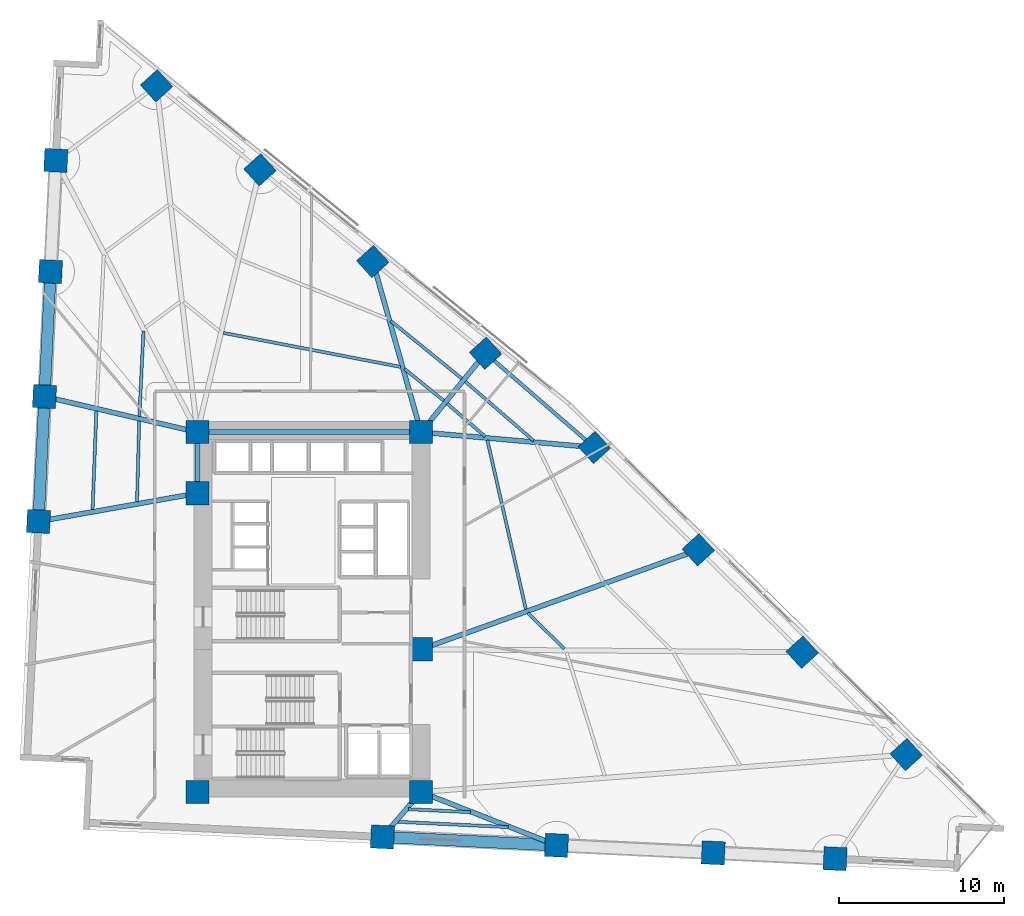
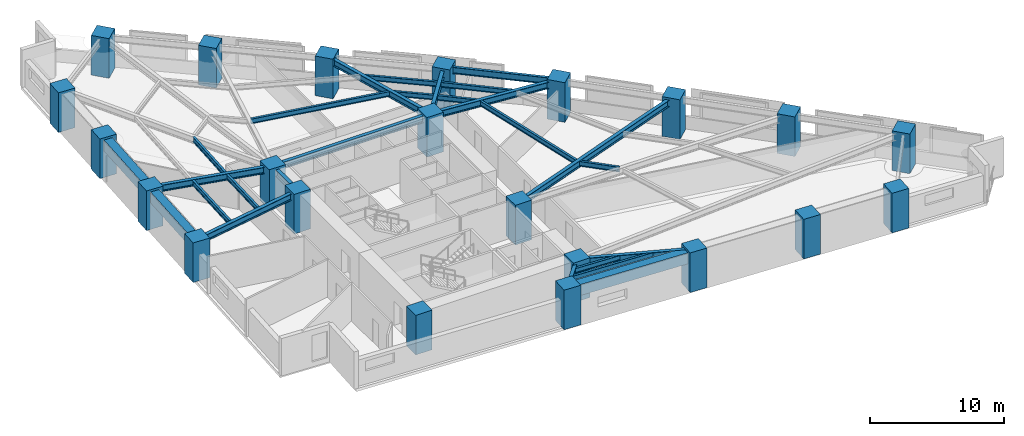
# One storey, part 1 of 17: 26 beams, 22 columns.
"""IFC4 building model written with IfcOpenShell, lengths in metres."""

import ifcopenshell
import ifcopenshell.guid

model = None  # the IFC model being written
_history = None  # IfcOwnerHistory: only IFC2X3 demands one
_inside = {}  # id of a spatial element -> (the spatial element, [elements in it])
_under = {}  # id of a project, library or spatial element -> (it, [spatial elements below it])
_declared = {}  # id of a project -> (the project, [libraries it declares])
_typed = {}  # id of a type object -> (the type object, [elements of that type])
_made_of = {}  # id of a material, layer set ... -> (it, [elements and type objects made of it])


def new_model(schema):
    """Start an empty IFC model of exactly this schema.

    Asked for "IFC4X3", IfcOpenShell would pick the latest addendum, in which some entities
    have other attributes; the version numbers below select the first issue.
    IFC2X3 requires an IfcOwnerHistory on every rooted entity: one is made here for all.
    """
    global model, _history
    if schema == "IFC4X3":
        model = ifcopenshell.file(schema_version=(4, 3, 0, 0))
    else:
        model = ifcopenshell.file(schema=schema)
    _inside.clear()
    _under.clear()
    _declared.clear()
    _typed.clear()
    _made_of.clear()
    _history = None
    if model.schema == "IFC2X3":
        org = make("IfcOrganization", Name="unknown")
        user = make(
            "IfcPersonAndOrganization",
            ThePerson=make("IfcPerson", FamilyName="unknown"),
            TheOrganization=org,
        )
        app = make(
            "IfcApplication",
            ApplicationDeveloper=org,
            Version="unknown",
            ApplicationFullName="unknown",
            ApplicationIdentifier="unknown",
        )
        _history = make(
            "IfcOwnerHistory",
            OwningUser=user,
            OwningApplication=app,
            ChangeAction="ADDED",
            CreationDate=0,
        )
    return model


def make(cls, **values):
    """One entity of the class cls with the attributes given. An attribute that is None is left unset."""
    return model.create_entity(
        cls, **{name: value for name, value in values.items() if value is not None}
    )


def rooted(cls, **values):
    """An entity with a GlobalId (a new one), such as an element, a storey or a relation."""
    return make(cls, GlobalId=ifcopenshell.guid.new(), OwnerHistory=_history, **values)


def si_unit(unit_type, name, prefix=None):
    """IfcSIUnit, for example si_unit("LENGTHUNIT", "METRE", prefix="MILLI")."""
    return make("IfcSIUnit", UnitType=unit_type, Prefix=prefix, Name=name)


def assignment(units):
    """IfcUnitAssignment: the units of a project."""
    return None if units is None else make("IfcUnitAssignment", Units=units)


def point(xyz):
    """IfcCartesianPoint."""
    return None if xyz is None else make("IfcCartesianPoint", Coordinates=xyz)


def direction(xyz):
    """IfcDirection."""
    return None if xyz is None else make("IfcDirection", DirectionRatios=xyz)


def frame(location, z_axis=None, x_axis=None):
    """IfcAxis2Placement3D, a coordinate frame: its origin and axes. An axis left out is left unset."""
    return make(
        "IfcAxis2Placement3D",
        Location=point(location),
        Axis=direction(z_axis),
        RefDirection=direction(x_axis),
    )


def frame_2d(location, x_axis=None):
    """IfcAxis2Placement2D, a coordinate frame in the plane: its origin and x axis."""
    return make(
        "IfcAxis2Placement2D", Location=point(location), RefDirection=direction(x_axis)
    )


def origin():
    """The frame at (0, 0, 0) with its axes left unset."""
    return frame((0.0, 0.0, 0.0))


def origin_2d():
    """The frame at (0, 0) in the plane with its x axis left unset."""
    return frame_2d((0.0, 0.0))


def place(relative_to, where):
    """IfcLocalPlacement: puts the frame where relative to a parent placement (None: the world)."""
    return make(
        "IfcLocalPlacement", PlacementRelTo=relative_to, RelativePlacement=where
    )


def context(
    kind, dimensions, precision=None, world=None, true_north=None, identifier=None
):
    """IfcGeometricRepresentationContext, for example the 3D "Model" context."""
    return make(
        "IfcGeometricRepresentationContext",
        ContextIdentifier=identifier,
        ContextType=kind,
        CoordinateSpaceDimension=dimensions,
        Precision=precision,
        WorldCoordinateSystem=world,
        TrueNorth=true_north,
    )


def subcontext(parent, identifier, kind, view, scale=None):
    """IfcGeometricRepresentationSubContext, for example "Body" below "Model"."""
    return make(
        "IfcGeometricRepresentationSubContext",
        ContextIdentifier=identifier,
        ContextType=kind,
        ParentContext=parent,
        TargetScale=scale,
        TargetView=view,
    )


def project(units=None, contexts=None):
    """IfcProject with its units and contexts."""
    return rooted(
        "IfcProject",
        Name="project",
        RepresentationContexts=contexts,
        UnitsInContext=assignment(units),
    )


def spatial(cls, under=None, at=None, **own):
    """A site, building, storey or space (cls), placed at a placement, below another one or the project."""
    s = rooted(cls, ObjectPlacement=at, **own)
    if under is not None:
        _under.setdefault(under.id(), (under, []))[1].append(s)
    return s


def profile(cls, at=None, kind="AREA", **sizes):
    """A parametric profile (cls). Its sizes go by their IFC names, for example OverallWidth=200.0."""
    return make(cls, ProfileType=kind, Position=at, **sizes)


def rectangle(**sizes):
    """IfcRectangleProfileDef."""
    return profile("IfcRectangleProfileDef", **sizes)


def i_section(**sizes):
    """IfcIShapeProfileDef."""
    return profile("IfcIShapeProfileDef", **sizes)


def extrude(swept, where, along, depth):
    """IfcExtrudedAreaSolid: the profile swept, set in the frame where, extruded along a direction by depth."""
    return make(
        "IfcExtrudedAreaSolid",
        SweptArea=swept,
        Position=where,
        ExtrudedDirection=direction(along),
        Depth=depth,
    )


def shape(context_of_items, identifier, shape_type, items):
    """IfcShapeRepresentation: the items that make up one representation, for example the "Body"."""
    return make(
        "IfcShapeRepresentation",
        ContextOfItems=context_of_items,
        RepresentationIdentifier=identifier,
        RepresentationType=shape_type,
        Items=items,
    )


def material(Name=None, Category=None):
    """IfcMaterial."""
    return make("IfcMaterial", Name=Name, Category=Category)


def material_profile(
    of_material, cross_section, Name=None, Category=None, Priority=None
):
    """IfcMaterialProfile: a cross section and its material."""
    return make(
        "IfcMaterialProfile",
        Name=Name,
        Material=of_material,
        Profile=cross_section,
        Priority=Priority,
        Category=Category,
    )


def profile_set(profiles, Name=None, composite=None):
    """IfcMaterialProfileSet."""
    return make(
        "IfcMaterialProfileSet",
        Name=Name,
        MaterialProfiles=profiles,
        CompositeProfile=composite,
    )


def made_of(thing, what):
    """Note that an element or type object is made of a material, layer set ...; save() writes the relation."""
    if what is not None:
        _made_of.setdefault(what.id(), (what, []))[1].append(thing)
    return thing


def type_object(cls, material=None, **own):
    """A type object (cls), such as IfcWallType, which elements share."""
    return made_of(rooted(cls, **own), material)


def element(
    cls,
    number,
    at=None,
    inside=None,
    cuts=None,
    type_object=None,
    material=None,
    context=None,
    identifier="Body",
    shape_type=None,
    held_by="IfcProductDefinitionShape",
    body=None,
    shapes=None,
    **own,
):
    """One element of the class cls, such as IfcWall. Its Tag is "e" and its number.

    at: its placement. inside: the storey or other place that contains it. cuts: it is an
    opening in that element (IfcRelVoidsElement). A single representation is given by context,
    identifier, shape_type and body (its items); several are given by shapes. held_by: the class
    of the entity that holds the representations. save() writes the other relations.
    """
    e = rooted(cls, Tag="e%d" % number, ObjectPlacement=at, **own)
    if body is not None:
        shapes = [shape(context, identifier, shape_type, body)]
    if shapes is not None:
        e.Representation = make(held_by, Representations=shapes)
    if inside is not None:
        _inside.setdefault(inside.id(), (inside, []))[1].append(e)
    if cuts is not None:
        rooted(
            "IfcRelVoidsElement", RelatingBuildingElement=cuts, RelatedOpeningElement=e
        )
    if type_object is not None:
        _typed.setdefault(type_object.id(), (type_object, []))[1].append(e)
    return made_of(e, material)


def aggregate(whole, parts):
    """IfcRelAggregates: a whole, such as a stair, and the parts it consists of."""
    return rooted("IfcRelAggregates", RelatingObject=whole, RelatedObjects=parts)


def save(model, path):
    """Write the relations noted so far, then the file.

    IfcRelAggregates (storeys below a building ...), IfcRelContainedInSpatialStructure (elements
    in a storey), IfcRelDefinesByType, IfcRelAssociatesMaterial and IfcRelDeclares: one each for
    every whole, place, type object, material and project.
    """
    for whole, parts in _under.values():
        aggregate(whole, parts)
    for where, things in _inside.values():
        rooted(
            "IfcRelContainedInSpatialStructure",
            RelatedElements=things,
            RelatingStructure=where,
        )
    for kind, things in _typed.values():
        rooted("IfcRelDefinesByType", RelatedObjects=things, RelatingType=kind)
    for what, things in _made_of.values():
        rooted("IfcRelAssociatesMaterial", RelatedObjects=things, RelatingMaterial=what)
    for by, libraries in _declared.values():
        rooted("IfcRelDeclares", RelatingContext=by, RelatedDefinitions=libraries)
    model.write(path)


model = new_model("IFC4")

# Units and contexts
model_context = context("Model", 3, precision=1e-05, world=origin(), true_north=direction((0.0, 1.0)))
body_context = subcontext(model_context, "Body", "Model", "MODEL_VIEW")
ifc_project = project(units=[si_unit("LENGTHUNIT", "METRE"), si_unit("AREAUNIT", "SQUARE_METRE"), si_unit("VOLUMEUNIT", "CUBIC_METRE"), si_unit("PLANEANGLEUNIT", "RADIAN"), si_unit("MASSUNIT", "GRAM", prefix="KILO")], contexts=[model_context])

# Site, building, storey
site_placement = place(None, origin())
site = spatial("IfcSite", under=ifc_project, at=site_placement, CompositionType="ELEMENT")
building_placement = place(site_placement, origin())
building = spatial("IfcBuilding", under=site, at=building_placement, Name="Narakoshi Arena Tower", CompositionType="ELEMENT")
storey_placement = place(building_placement, frame((0.0, 0.0, 37.5)))
storey = spatial("IfcBuildingStorey", under=building, at=storey_placement, Name="L09", CompositionType="ELEMENT", Elevation=37.5)

# Columns
ifc_material_1 = material(Name="Concrete C60/75", Category="concrete")
ifc_material_profile_1 = material_profile(ifc_material_1, rectangle(XDim=1.39990234375, YDim=1.39990234375, at=origin_2d()), Name="RC1400x1400")
ifc_profile_set_1 = profile_set([ifc_material_profile_1], Name="Concrete C60/75")
column_type = type_object("IfcColumnType", Name="COL-RC1400", PredefinedType="COLUMN", material=ifc_profile_set_1)
for number, where, z_axis, x_axis, name in (
    (1, (72.0, 34.699951171875, 0.0), (0.0, 0.0, 1.0), (1.0, 0.0, 0.0), "L09 Core Structural Column CC1"),
    (2, (85.550048828125, 34.699951171875, 0.0), (0.0, 0.0, 1.0), (1.0, 0.0, 0.0), "L09 Core Structural Column CC2"),
    (3, (85.550048828125, 43.35009765625, 0.0), (0.0, 0.0, 1.0), (1.0, 0.0, 0.0), "L09 Core Structural Column CC3"),
    (4, (72.0, 52.800048828125, 0.0), (0.0, 0.0, 1.0), (1.0, 0.0, 0.0), "L09 Core Structural Column CC4"),
    (5, (72.0, 56.5, 0.0), (0.0, 0.0, 1.0), (1.0, 0.0, 0.0), "L09 Core Structural Column CC5"),
    (6, (85.550048828125, 56.5, 0.0), (0.0, 0.0, 1.0), (1.0, 0.0, 0.0), "L09 Core Structural Column CC6"),
    (7, (83.2119140625, 31.979248046875, 0.0), (0.0, 0.0, 1.0), (-0.998848386485, 0.047978128521, 0.0), "L09 Tower Perimeter Column TC01"),
    (8, (93.760009765625, 31.472412109375, 0.0), (0.0, 0.0, 1.0), (-0.998848386485, 0.047978128521, 0.0), "L09 Tower Perimeter Column TC02"),
    (9, (103.2529296875, 31.0166015625, 0.0), (0.0, 0.0, 1.0), (-0.998848386485, 0.047978128521, 0.0), "L09 Tower Perimeter Column TC03"),
    (10, (110.636474609375, 30.661865234375, 0.0), (0.0, 0.0, 1.0), (-0.998848386485, 0.047978128521, 0.0), "L09 Tower Perimeter Column TC04"),
    (11, (114.942138671875, 36.969970703125, 0.0), (0.0, 0.0, 1.0), (0.740218127487, 0.672366807435, 0.0), "L09 Tower Perimeter Column TC05"),
    (12, (108.643798828125, 43.171875, 0.0), (0.0, 0.0, 1.0), (0.740218127487, 0.672366807435, 0.0), "L09 Tower Perimeter Column TC06"),
    (13, (102.345458984375, 49.373779296875, 0.0), (0.0, 0.0, 1.0), (0.740218127487, 0.672366807435, 0.0), "L09 Tower Perimeter Column TC07"),
    (14, (96.047119140625, 55.57568359375, 0.0), (0.0, 0.0, 1.0), (0.740218127487, 0.672366807435, 0.0), "L09 Tower Perimeter Column TC08"),
    (15, (89.459716796875, 61.28515625, 0.0), (0.0, 0.0, 1.0), (0.740218127487, 0.672366807435, 0.0), "L09 Tower Perimeter Column TC09"),
    (16, (82.626953125, 66.838623046875, 0.0), (0.0, 0.0, 1.0), (0.740218127487, 0.672366807435, 0.0), "L09 Tower Perimeter Column TC10"),
    (17, (75.794189453125, 72.392333984375, 0.0), (0.0, 0.0, 1.0), (0.740218127487, 0.672366807435, 0.0), "L09 Tower Perimeter Column TC11"),
    (18, (69.531005859375, 77.483154296875, 0.0), (0.0, 0.0, 1.0), (0.740218127487, 0.672366807435, 0.0), "L09 Tower Perimeter Column TC12"),
    (19, (63.42822265625, 72.95654296875, 0.0), (0.0, 0.0, 1.0), (0.047978128521, 0.998848386485, 0.0), "L09 Tower Perimeter Column TC13"),
    (20, (63.10498046875, 66.228271484375, 0.0), (0.0, 0.0, 1.0), (0.047978128521, 0.998848386485, 0.0), "L09 Tower Perimeter Column TC14"),
    (21, (62.74169921875, 58.658935546875, 0.0), (0.0, 0.0, 1.0), (0.047978128521, 0.998848386485, 0.0), "L09 Tower Perimeter Column TC15"),
    (22, (62.3779296875, 51.08984375, 0.0), (0.0, 0.0, 1.0), (0.047978128521, 0.998848386485, 0.0), "L09 Tower Perimeter Column TC16"),
):
    element("IfcColumn", number, at=place(storey_placement, frame(where, z_axis=z_axis, x_axis=x_axis)), inside=storey, type_object=column_type, Name=name, PredefinedType="COLUMN", context=body_context, shape_type="SweptSolid", body=[
        extrude(rectangle(XDim=1.39990234375, YDim=1.39990234375, at=origin_2d()), origin(), (0.0, 0.0, 1.0), 3.60009765625),
    ])

# Beams
ifc_material_profile_2 = material_profile(ifc_material_1, rectangle(XDim=0.699951171875, YDim=1.0, at=origin_2d()), Name="RCB700x1000")
ifc_profile_set_2 = profile_set([ifc_material_profile_2], Name="Concrete C60/75")
beam_type_1 = type_object("IfcBeamType", Name="BM-CPL-1000", PredefinedType="BEAM", material=ifc_profile_set_2)
beam_1_placement = place(storey_placement, frame((83.2119140625, 31.979248046875, 2.89990234375), z_axis=(0.998847594152, -0.047994621119, 0.0), x_axis=(0.047994621119, 0.998847594152, 0.0)))
element("IfcBeam", 23, at=beam_1_placement, inside=storey, type_object=beam_type_1, Name="L09 Perimeter Edge Girder 01", PredefinedType="BEAM", context=body_context, shape_type="SweptSolid", body=[
    extrude(rectangle(XDim=0.699951171875, YDim=1.0, at=origin_2d()), origin(), (0.0, 0.0, 1.0), 10.560302734375),
])
beam_2_placement = place(storey_placement, frame((63.10498046875, 66.228271484375, 2.89990234375), z_axis=(-0.047938627957, -0.99885028305, 0.0), x_axis=(0.99885028305, -0.047938627957, 0.0)))
element("IfcBeam", 24, at=beam_2_placement, inside=storey, type_object=beam_type_1, Name="L09 Perimeter Edge Girder 14", PredefinedType="BEAM", context=body_context, shape_type="SweptSolid", body=[
    extrude(rectangle(XDim=0.699951171875, YDim=1.0, at=origin_2d()), origin(), (0.0, 0.0, 1.0), 7.578125),
])
beam_3_placement = place(storey_placement, frame((62.74169921875, 58.658935546875, 2.89990234375), z_axis=(-0.048004457986, -0.998847121442, 0.0), x_axis=(0.998847121442, -0.048004457986, 0.0)))
element("IfcBeam", 25, at=beam_3_placement, inside=storey, type_object=beam_type_1, Name="L09 Perimeter Edge Girder 15", PredefinedType="BEAM", context=body_context, shape_type="SweptSolid", body=[
    extrude(rectangle(XDim=0.699951171875, YDim=1.0, at=origin_2d()), origin(), (0.0, 0.0, 1.0), 7.577880859375),
])
ifc_material_2 = material(Name="Structural steel S355J2", Category="steel")
ifc_material_profile_3 = material_profile(ifc_material_2, i_section(OverallWidth=0.219970703125, OverallDepth=0.60009765625, WebThickness=0.011962890625, FlangeThickness=0.01904296875, FilletRadius=0.02392578125, at=origin_2d()), Name="IPE600")
ifc_profile_set_3 = profile_set([ifc_material_profile_3], Name="Structural steel S355J2")
beam_type_2 = type_object("IfcBeamType", Name="BM-EDGE-600", PredefinedType="BEAM", material=ifc_profile_set_3)
beam_4_placement = place(storey_placement, frame((96.047119140625, 55.57568359375, 3.10009765625), z_axis=(-0.755666904752, 0.654956127586, 0.0), x_axis=(-0.654956127586, -0.755666904752, 0.0)))
element("IfcBeam", 26, at=beam_4_placement, inside=storey, type_object=beam_type_2, Name="L09 Perimeter Edge Girder 08", PredefinedType="BEAM", context=body_context, shape_type="SweptSolid", body=[
    extrude(i_section(OverallWidth=0.219970703125, OverallDepth=0.60009765625, WebThickness=0.011962890625, FlangeThickness=0.01904296875, FilletRadius=0.02392578125, at=origin_2d()), origin(), (0.0, 0.0, 1.0), 8.71728515625),
])
ifc_material_profile_4 = material_profile(ifc_material_2, i_section(OverallWidth=0.300048828125, OverallDepth=0.60009765625, WebThickness=0.015380859375, FlangeThickness=0.030029296875, FilletRadius=0.027099609375, at=origin_2d()), Name="HE600B")
ifc_profile_set_4 = profile_set([ifc_material_profile_4], Name="Structural steel S355J2")
beam_type_3 = type_object("IfcBeamType", Name="BM-PRI-600", PredefinedType="BEAM", material=ifc_profile_set_4)
beam_5_placement = place(storey_placement, frame((85.550048828125, 34.699951171875, 3.10009765625), z_axis=(-0.651771636497, -0.75841527797, 0.0), x_axis=(0.75841527797, -0.651771636497, 0.0)))
element("IfcBeam", 27, at=beam_5_placement, inside=storey, type_object=beam_type_3, Name="L09 Radial Primary Floor Girder 01", PredefinedType="BEAM", context=body_context, shape_type="SweptSolid", body=[
    extrude(i_section(OverallWidth=0.300048828125, OverallDepth=0.60009765625, WebThickness=0.015380859375, FlangeThickness=0.030029296875, FilletRadius=0.027099609375, at=origin_2d()), origin(), (0.0, 0.0, 1.0), 3.58740234375),
])
beam_6_placement = place(storey_placement, frame((85.550048828125, 34.699951171875, 3.10009765625), z_axis=(0.930666699288, -0.365868138592, 0.0), x_axis=(0.365868138592, 0.930666699288, 0.0)))
element("IfcBeam", 28, at=beam_6_placement, inside=storey, type_object=beam_type_3, Name="L09 Radial Primary Floor Girder 02", PredefinedType="BEAM", context=body_context, shape_type="SweptSolid", body=[
    extrude(i_section(OverallWidth=0.300048828125, OverallDepth=0.60009765625, WebThickness=0.015380859375, FlangeThickness=0.030029296875, FilletRadius=0.027099609375, at=origin_2d()), origin(), (0.0, 0.0, 1.0), 8.821533203125),
])
beam_7_placement = place(storey_placement, frame((85.550048828125, 43.35009765625, 3.10009765625), z_axis=(0.941291582753, 0.337594662634, 0.0), x_axis=(-0.337594662634, 0.941291582753, 0.0)))
element("IfcBeam", 29, at=beam_7_placement, inside=storey, type_object=beam_type_3, Name="L09 Radial Primary Floor Girder 07", PredefinedType="BEAM", context=body_context, shape_type="SweptSolid", body=[
    extrude(i_section(OverallWidth=0.300048828125, OverallDepth=0.60009765625, WebThickness=0.015380859375, FlangeThickness=0.030029296875, FilletRadius=0.027099609375, at=origin_2d()), origin(), (0.0, 0.0, 1.0), 17.843017578125),
])
beam_8_placement = place(storey_placement, frame((85.550048828125, 56.5, 3.10009765625), z_axis=(0.996145584519, -0.087715303354, 0.0), x_axis=(0.087715303354, 0.996145584519, 0.0)))
element("IfcBeam", 30, at=beam_8_placement, inside=storey, type_object=beam_type_3, Name="L09 Radial Primary Floor Girder 08", PredefinedType="BEAM", context=body_context, shape_type="SweptSolid", body=[
    extrude(i_section(OverallWidth=0.300048828125, OverallDepth=0.60009765625, WebThickness=0.015380859375, FlangeThickness=0.030029296875, FilletRadius=0.027099609375, at=origin_2d()), origin(), (0.0, 0.0, 1.0), 10.53759765625),
])
beam_9_placement = place(storey_placement, frame((85.550048828125, 56.5, 3.10009765625), z_axis=(0.632708368655, 0.774390160212, 0.0), x_axis=(-0.774390160212, 0.632708368655, 0.0)))
element("IfcBeam", 31, at=beam_9_placement, inside=storey, type_object=beam_type_3, Name="L09 Radial Primary Floor Girder 09", PredefinedType="BEAM", context=body_context, shape_type="SweptSolid", body=[
    extrude(i_section(OverallWidth=0.300048828125, OverallDepth=0.60009765625, WebThickness=0.015380859375, FlangeThickness=0.030029296875, FilletRadius=0.027099609375, at=origin_2d()), origin(), (0.0, 0.0, 1.0), 6.17919921875),
])
beam_10_placement = place(storey_placement, frame((85.550048828125, 56.5, 3.10009765625), z_axis=(-0.272069994974, 0.962277464058, 0.0), x_axis=(-0.962277464058, -0.272069994974, 0.0)))
element("IfcBeam", 32, at=beam_10_placement, inside=storey, type_object=beam_type_3, Name="L09 Radial Primary Floor Girder 10", PredefinedType="BEAM", context=body_context, shape_type="SweptSolid", body=[
    extrude(i_section(OverallWidth=0.300048828125, OverallDepth=0.60009765625, WebThickness=0.015380859375, FlangeThickness=0.030029296875, FilletRadius=0.027099609375, at=origin_2d()), origin(), (0.0, 0.0, 1.0), 10.743896484375),
])
beam_11_placement = place(storey_placement, frame((72.0, 56.5, 3.10009765625), z_axis=(-0.973872266719, 0.227096473145, 0.0), x_axis=(-0.227096473145, -0.973872266719, 0.0)))
element("IfcBeam", 33, at=beam_11_placement, inside=storey, type_object=beam_type_3, Name="L09 Radial Primary Floor Girder 15", PredefinedType="BEAM", context=body_context, shape_type="SweptSolid", body=[
    extrude(i_section(OverallWidth=0.300048828125, OverallDepth=0.60009765625, WebThickness=0.015380859375, FlangeThickness=0.030029296875, FilletRadius=0.027099609375, at=origin_2d()), origin(), (0.0, 0.0, 1.0), 9.506591796875),
])
beam_12_placement = place(storey_placement, frame((72.0, 52.800048828125, 3.10009765625), z_axis=(-0.984569299514, -0.174995126944, 0.0), x_axis=(0.174995126944, -0.984569299514, 0.0)))
element("IfcBeam", 34, at=beam_12_placement, inside=storey, type_object=beam_type_3, Name="L09 Radial Primary Floor Girder 16", PredefinedType="BEAM", context=body_context, shape_type="SweptSolid", body=[
    extrude(i_section(OverallWidth=0.300048828125, OverallDepth=0.60009765625, WebThickness=0.015380859375, FlangeThickness=0.030029296875, FilletRadius=0.027099609375, at=origin_2d()), origin(), (0.0, 0.0, 1.0), 9.77294921875),
])
beam_13_placement = place(storey_placement, frame((72.0, 52.800048828125, 3.10009765625), z_axis=(0.0, 1.0, 0.0), x_axis=(-1.0, 0.0, 0.0)))
element("IfcBeam", 35, at=beam_13_placement, inside=storey, type_object=beam_type_3, Name="L09 Core Perimeter Frame Beam CC4-CC5", PredefinedType="BEAM", context=body_context, shape_type="SweptSolid", body=[
    extrude(i_section(OverallWidth=0.300048828125, OverallDepth=0.60009765625, WebThickness=0.015380859375, FlangeThickness=0.030029296875, FilletRadius=0.027099609375, at=origin_2d()), origin(), (0.0, 0.0, 1.0), 3.699951171875),
])
beam_14_placement = place(storey_placement, frame((72.0, 56.5, 3.10009765625), z_axis=(1.0, 0.0, 0.0), x_axis=(0.0, 1.0, 0.0)))
element("IfcBeam", 36, at=beam_14_placement, inside=storey, type_object=beam_type_3, Name="L09 Core Perimeter Frame Beam CC5-CC6", PredefinedType="BEAM", context=body_context, shape_type="SweptSolid", body=[
    extrude(i_section(OverallWidth=0.300048828125, OverallDepth=0.60009765625, WebThickness=0.015380859375, FlangeThickness=0.030029296875, FilletRadius=0.027099609375, at=origin_2d()), origin(), (0.0, 0.0, 1.0), 13.550048828125),
])
ifc_material_profile_5 = material_profile(ifc_material_2, i_section(OverallWidth=0.18994140625, OverallDepth=0.449951171875, WebThickness=0.009521484375, FlangeThickness=0.0146484375, FilletRadius=0.02099609375, at=origin_2d()), Name="IPE450")
ifc_profile_set_5 = profile_set([ifc_material_profile_5], Name="Structural steel S355J2")
beam_type_4 = type_object("IfcBeamType", Name="BM-SEC-450", PredefinedType="JOIST", material=ifc_profile_set_5)
beam_15_placement = place(storey_placement, frame((84.79638671875, 33.65966796875, 3.175048828125), z_axis=(0.998846936013, -0.04800831613, 0.0), x_axis=(0.04800831613, 0.998846936013, 0.0)))
element("IfcBeam", 37, at=beam_15_placement, inside=storey, type_object=beam_type_4, Name="L09 Composite Secondary Floor Joist 01", PredefinedType="JOIST", context=body_context, shape_type="SweptSolid", body=[
    extrude(i_section(OverallWidth=0.18994140625, OverallDepth=0.449951171875, WebThickness=0.009521484375, FlangeThickness=0.0146484375, FilletRadius=0.02099609375, at=origin_2d()), origin(), (0.0, 0.0, 1.0), 3.742919921875),
])
beam_16_placement = place(storey_placement, frame((84.141845703125, 32.897705078125, 3.175048828125), z_axis=(0.998849428326, -0.047956433699, 0.0), x_axis=(0.047956433699, 0.998849428326, 0.0)))
element("IfcBeam", 38, at=beam_16_placement, inside=storey, type_object=beam_type_4, Name="L09 Composite Secondary Floor Joist 02", PredefinedType="JOIST", context=body_context, shape_type="SweptSolid", body=[
    extrude(i_section(OverallWidth=0.18994140625, OverallDepth=0.449951171875, WebThickness=0.009521484375, FlangeThickness=0.0146484375, FilletRadius=0.02099609375, at=origin_2d()), origin(), (0.0, 0.0, 1.0), 6.69970703125),
])
beam_17_placement = place(storey_placement, frame((94.2294921875, 43.376953125, 3.175048828125), z_axis=(-0.712578369214, 0.701592522572, 0.0), x_axis=(-0.701592522572, -0.712578369214, 0.0)))
element("IfcBeam", 39, at=beam_17_placement, inside=storey, type_object=beam_type_4, Name="L09 Composite Secondary Floor Joist 05", PredefinedType="JOIST", context=body_context, shape_type="SweptSolid", body=[
    extrude(i_section(OverallWidth=0.18994140625, OverallDepth=0.449951171875, WebThickness=0.009521484375, FlangeThickness=0.0146484375, FilletRadius=0.02099609375, at=origin_2d()), origin(), (0.0, 0.0, 1.0), 3.089111328125),
])
beam_18_placement = place(storey_placement, frame((91.90234375, 45.770751953125, 3.175048828125), z_axis=(-0.222053868042, 0.975034399233, 0.0), x_axis=(-0.975034399233, -0.222053868042, 0.0)))
element("IfcBeam", 40, at=beam_18_placement, inside=storey, type_object=beam_type_4, Name="L09 Composite Secondary Floor Joist 07", PredefinedType="JOIST", context=body_context, shape_type="SweptSolid", body=[
    extrude(i_section(OverallWidth=0.18994140625, OverallDepth=0.449951171875, WebThickness=0.009521484375, FlangeThickness=0.0146484375, FilletRadius=0.02099609375, at=origin_2d()), origin(), (0.0, 0.0, 1.0), 10.5087890625),
])
beam_19_placement = place(storey_placement, frame((89.436767578125, 56.2373046875, 3.175048828125), z_axis=(-0.755665253251, 0.654958033029, 0.0), x_axis=(-0.654958033029, -0.755665253251, 0.0)))
element("IfcBeam", 41, at=beam_19_placement, inside=storey, type_object=beam_type_4, Name="L09 Composite Secondary Floor Joist 09", PredefinedType="JOIST", context=body_context, shape_type="SweptSolid", body=[
    extrude(i_section(OverallWidth=0.18994140625, OverallDepth=0.449951171875, WebThickness=0.009521484375, FlangeThickness=0.0146484375, FilletRadius=0.02099609375, at=origin_2d()), origin(), (0.0, 0.0, 1.0), 3.04248046875),
])
beam_20_placement = place(storey_placement, frame((92.3759765625, 55.978515625, 3.175048828125), z_axis=(-0.755690551911, 0.654928843274, 0.0), x_axis=(-0.654928843274, -0.755690551911, 0.0)))
element("IfcBeam", 42, at=beam_20_placement, inside=storey, type_object=beam_type_4, Name="L09 Composite Secondary Floor Joist 10", PredefinedType="JOIST", context=body_context, shape_type="SweptSolid", body=[
    extrude(i_section(OverallWidth=0.18994140625, OverallDepth=0.449951171875, WebThickness=0.009521484375, FlangeThickness=0.0146484375, FilletRadius=0.02099609375, at=origin_2d()), origin(), (0.0, 0.0, 1.0), 5.483154296875),
])
beam_21_placement = place(storey_placement, frame((86.930908203125, 58.403564453125, 3.175048828125), z_axis=(-0.776029017358, 0.630697204861, 0.0), x_axis=(-0.630697204861, -0.776029017358, 0.0)))
element("IfcBeam", 43, at=beam_21_placement, inside=storey, type_object=beam_type_4, Name="L09 Composite Secondary Floor Joist 11", PredefinedType="JOIST", context=body_context, shape_type="SweptSolid", body=[
    extrude(i_section(OverallWidth=0.18994140625, OverallDepth=0.449951171875, WebThickness=0.009521484375, FlangeThickness=0.0146484375, FilletRadius=0.02099609375, at=origin_2d()), origin(), (0.0, 0.0, 1.0), 3.075927734375),
])
beam_22_placement = place(storey_placement, frame((88.025634765625, 59.743408203125, 3.175048828125), z_axis=(-0.77601830452, 0.630710386033, 0.0), x_axis=(-0.630710386033, -0.77601830452, 0.0)))
element("IfcBeam", 44, at=beam_22_placement, inside=storey, type_object=beam_type_4, Name="L09 Composite Secondary Floor Joist 12", PredefinedType="JOIST", context=body_context, shape_type="SweptSolid", body=[
    extrude(i_section(OverallWidth=0.18994140625, OverallDepth=0.449951171875, WebThickness=0.009521484375, FlangeThickness=0.0146484375, FilletRadius=0.02099609375, at=origin_2d()), origin(), (0.0, 0.0, 1.0), 5.541259765625),
])
beam_23_placement = place(storey_placement, frame((84.306640625, 60.4541015625, 3.175048828125), z_axis=(-0.98207951477, 0.188467043986, 0.0), x_axis=(-0.188467043986, -0.98207951477, 0.0)))
element("IfcBeam", 45, at=beam_23_placement, inside=storey, type_object=beam_type_4, Name="L09 Composite Secondary Floor Joist 13", PredefinedType="JOIST", context=body_context, shape_type="SweptSolid", body=[
    extrude(i_section(OverallWidth=0.18994140625, OverallDepth=0.449951171875, WebThickness=0.009521484375, FlangeThickness=0.0146484375, FilletRadius=0.02099609375, at=origin_2d()), origin(), (0.0, 0.0, 1.0), 10.927978515625),
])
beam_24_placement = place(storey_placement, frame((68.736328125, 62.61865234375, 3.175048828125), z_axis=(-0.047984757536, -0.998848068048, 0.0), x_axis=(0.998848068048, -0.047984757536, 0.0)))
element("IfcBeam", 46, at=beam_24_placement, inside=storey, type_object=beam_type_4, Name="L09 Composite Secondary Floor Joist 19", PredefinedType="JOIST", context=body_context, shape_type="SweptSolid", body=[
    extrude(i_section(OverallWidth=0.18994140625, OverallDepth=0.449951171875, WebThickness=0.009521484375, FlangeThickness=0.0146484375, FilletRadius=0.02099609375, at=origin_2d()), origin(), (0.0, 0.0, 1.0), 5.169189453125),
])
beam_25_placement = place(storey_placement, frame((68.478271484375, 57.185546875, 3.175048828125), z_axis=(-0.026744117258, -0.999642312126, 0.0), x_axis=(0.999642312126, -0.026744117258, 0.0)))
element("IfcBeam", 47, at=beam_25_placement, inside=storey, type_object=beam_type_4, Name="L09 Composite Secondary Floor Joist 21", PredefinedType="JOIST", context=body_context, shape_type="SweptSolid", body=[
    extrude(i_section(OverallWidth=0.18994140625, OverallDepth=0.449951171875, WebThickness=0.009521484375, FlangeThickness=0.0146484375, FilletRadius=0.02099609375, at=origin_2d()), origin(), (0.0, 0.0, 1.0), 4.902099609375),
])
beam_26_placement = place(storey_placement, frame((65.88427734375, 57.7900390625, 3.175048828125), z_axis=(-0.038323519423, -0.999265384099, 0.0), x_axis=(0.999265384099, -0.038323519423, 0.0)))
element("IfcBeam", 48, at=beam_26_placement, inside=storey, type_object=beam_type_4, Name="L09 Composite Secondary Floor Joist 22", PredefinedType="JOIST", context=body_context, shape_type="SweptSolid", body=[
    extrude(i_section(OverallWidth=0.18994140625, OverallDepth=0.449951171875, WebThickness=0.009521484375, FlangeThickness=0.0146484375, FilletRadius=0.02099609375, at=origin_2d()), origin(), (0.0, 0.0, 1.0), 5.98828125),
])

save(model, "model.ifc")
